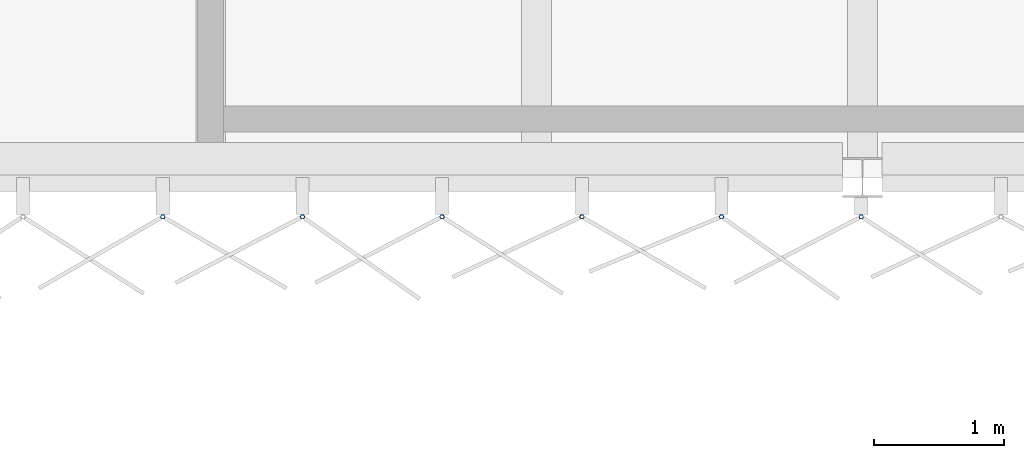
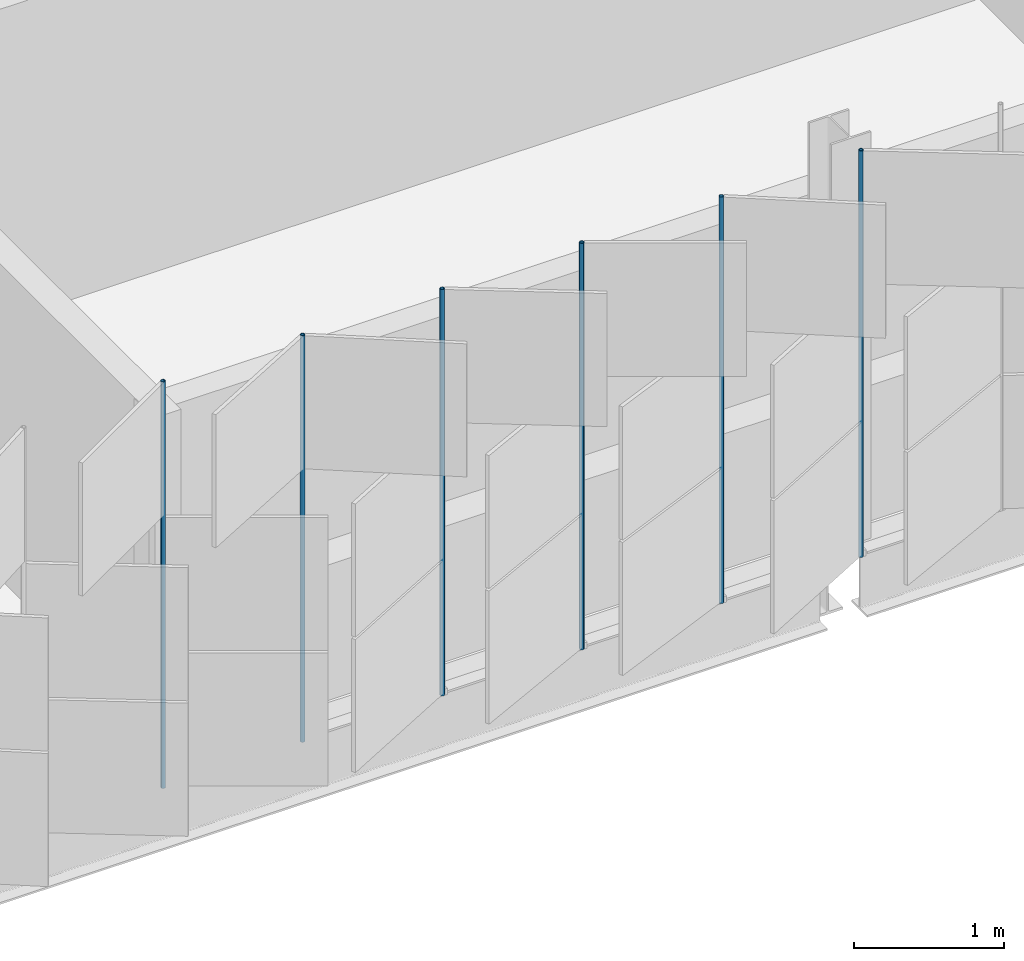
# One storey, part 78 of 198: 6 discrete accessories.
"""IFC4 building model written with IfcOpenShell, lengths in metres."""

from ifc_helpers import new_model, si_unit, direction, frame, origin, origin_2d, place, context, subcontext, project, spatial, hollow_circle, extrude, material, material_profile, profile_set, type_object, element, save


model = new_model("IFC4")

# Units and contexts
model_context = context("Model", 3, precision=1e-05, world=origin(), true_north=direction((0.0, 1.0)))
body_context = subcontext(model_context, "Body", "Model", "MODEL_VIEW")
ifc_project = project(units=[si_unit("LENGTHUNIT", "METRE"), si_unit("AREAUNIT", "SQUARE_METRE"), si_unit("VOLUMEUNIT", "CUBIC_METRE"), si_unit("PLANEANGLEUNIT", "RADIAN"), si_unit("MASSUNIT", "GRAM", prefix="KILO")], contexts=[model_context])

# Site, building, storey
site_placement = place(None, origin())
site = spatial("IfcSite", under=ifc_project, at=site_placement, CompositionType="ELEMENT")
building_placement = place(site_placement, origin())
building = spatial("IfcBuilding", under=site, at=building_placement, Name="Parallax Yard Mobility Hub", CompositionType="ELEMENT")
storey_placement = place(building_placement, frame((0.0, 0.0, 6.60009765625)))
storey = spatial("IfcBuildingStorey", under=building, at=storey_placement, Name="L02", CompositionType="ELEMENT", Elevation=6.60009765625)

# Discrete accessories
ifc_material = material(Name="Steel ASTM A500 Gr C, hot-dip galvanised", Category="steel")
ifc_material_profile = material_profile(ifc_material, hollow_circle(Radius=0.016845703125, WallThickness=0.003173828125, at=origin_2d()), Name="CHS 33.7x3.2")
ifc_profile_set = profile_set([ifc_material_profile], Name="Steel ASTM A500 Gr C, hot-dip galvanised")
discrete_accessory_type = type_object("IfcDiscreteAccessoryType", Name="Hinge post CHS 33.7x3.2", PredefinedType="BRACKET", material=ifc_profile_set)
for number, where, z_axis, x_axis, name in (
    (1, (99.6328125, 112.199951171875, 0.0), (0.0, 0.0, 1.0), (1.0, 0.0, 0.0), "Hinge post bay 9.3 level L02"),
    (2, (100.704345703125, 112.199951171875, 0.0), (0.0, 0.0, 1.0), (1.0, 0.0, 0.0), "Hinge post bay 9.4 level L02"),
    (3, (101.77587890625, 112.199951171875, 0.0), (0.0, 0.0, 1.0), (1.0, 0.0, 0.0), "Hinge post bay 9.5 level L02"),
    (4, (102.847412109375, 112.199951171875, 0.0), (0.0, 0.0, 1.0), (1.0, 0.0, 0.0), "Hinge post bay 9.6 level L02"),
    (5, (103.9189453125, 112.199951171875, 0.0), (0.0, 0.0, 1.0), (1.0, 0.0, 0.0), "Hinge post bay 9.7 level L02"),
    (6, (104.990478515625, 112.199951171875, 0.0), (0.0, 0.0, 1.0), (1.0, 0.0, 0.0), "Hinge post bay 10.1 level L02"),
):
    element("IfcDiscreteAccessory", number, at=place(storey_placement, frame(where, z_axis=z_axis, x_axis=x_axis)), inside=storey, type_object=discrete_accessory_type, Name=name, PredefinedType="BRACKET", context=body_context, shape_type="SweptSolid", body=[
        extrude(hollow_circle(Radius=0.016845703125, WallThickness=0.003173828125, at=origin_2d()), origin(), (0.0, 0.0, 1.0), 3.2998046875),
    ])

save(model, "model.ifc")
